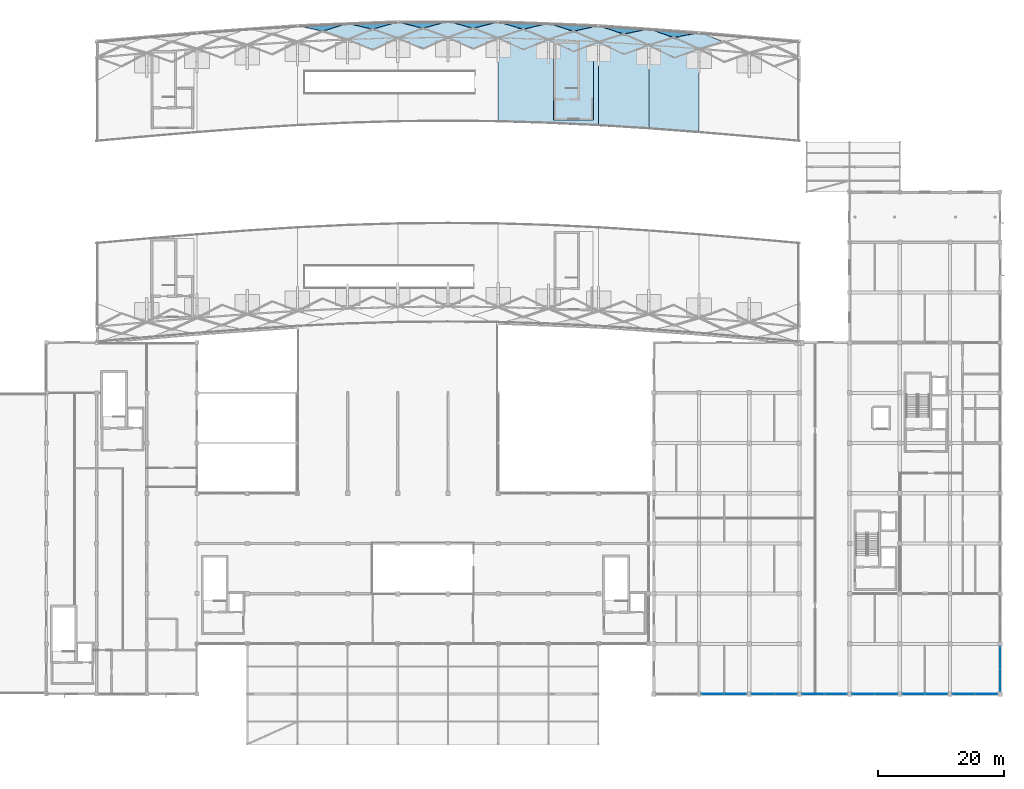
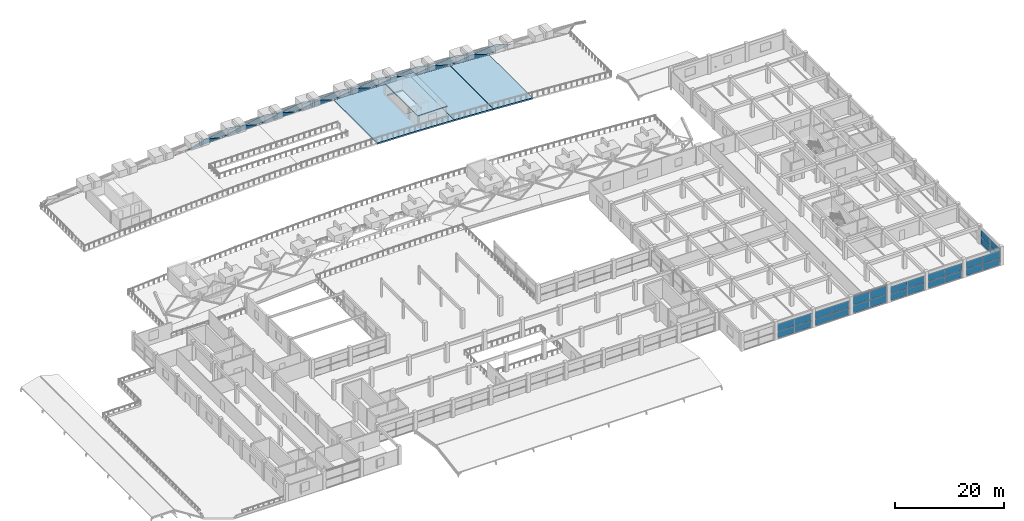
# One storey, part 37 of 67: 51 plates, 4 slabs, 7 elements without a shape of their own.
"""IFC4 building model written with IfcOpenShell, lengths in metres."""

import ifcopenshell
import ifcopenshell.guid

model = None  # the IFC model being written
_history = None  # IfcOwnerHistory: only IFC2X3 demands one
_inside = {}  # id of a spatial element -> (the spatial element, [elements in it])
_under = {}  # id of a project, library or spatial element -> (it, [spatial elements below it])
_declared = {}  # id of a project -> (the project, [libraries it declares])
_typed = {}  # id of a type object -> (the type object, [elements of that type])
_made_of = {}  # id of a material, layer set ... -> (it, [elements and type objects made of it])


def new_model(schema):
    """Start an empty IFC model of exactly this schema.

    Asked for "IFC4X3", IfcOpenShell would pick the latest addendum, in which some entities
    have other attributes; the version numbers below select the first issue.
    IFC2X3 requires an IfcOwnerHistory on every rooted entity: one is made here for all.
    """
    global model, _history
    if schema == "IFC4X3":
        model = ifcopenshell.file(schema_version=(4, 3, 0, 0))
    else:
        model = ifcopenshell.file(schema=schema)
    _inside.clear()
    _under.clear()
    _declared.clear()
    _typed.clear()
    _made_of.clear()
    _history = None
    if model.schema == "IFC2X3":
        org = make("IfcOrganization", Name="unknown")
        user = make(
            "IfcPersonAndOrganization",
            ThePerson=make("IfcPerson", FamilyName="unknown"),
            TheOrganization=org,
        )
        app = make(
            "IfcApplication",
            ApplicationDeveloper=org,
            Version="unknown",
            ApplicationFullName="unknown",
            ApplicationIdentifier="unknown",
        )
        _history = make(
            "IfcOwnerHistory",
            OwningUser=user,
            OwningApplication=app,
            ChangeAction="ADDED",
            CreationDate=0,
        )
    return model


def make(cls, **values):
    """One entity of the class cls with the attributes given. An attribute that is None is left unset."""
    return model.create_entity(
        cls, **{name: value for name, value in values.items() if value is not None}
    )


def rooted(cls, **values):
    """An entity with a GlobalId (a new one), such as an element, a storey or a relation."""
    return make(cls, GlobalId=ifcopenshell.guid.new(), OwnerHistory=_history, **values)


def si_unit(unit_type, name, prefix=None):
    """IfcSIUnit, for example si_unit("LENGTHUNIT", "METRE", prefix="MILLI")."""
    return make("IfcSIUnit", UnitType=unit_type, Prefix=prefix, Name=name)


def assignment(units):
    """IfcUnitAssignment: the units of a project."""
    return None if units is None else make("IfcUnitAssignment", Units=units)


def point(xyz):
    """IfcCartesianPoint."""
    return None if xyz is None else make("IfcCartesianPoint", Coordinates=xyz)


def direction(xyz):
    """IfcDirection."""
    return None if xyz is None else make("IfcDirection", DirectionRatios=xyz)


def frame(location, z_axis=None, x_axis=None):
    """IfcAxis2Placement3D, a coordinate frame: its origin and axes. An axis left out is left unset."""
    return make(
        "IfcAxis2Placement3D",
        Location=point(location),
        Axis=direction(z_axis),
        RefDirection=direction(x_axis),
    )


def frame_2d(location, x_axis=None):
    """IfcAxis2Placement2D, a coordinate frame in the plane: its origin and x axis."""
    return make(
        "IfcAxis2Placement2D", Location=point(location), RefDirection=direction(x_axis)
    )


def origin():
    """The frame at (0, 0, 0) with its axes left unset."""
    return frame((0.0, 0.0, 0.0))


def origin_2d():
    """The frame at (0, 0) in the plane with its x axis left unset."""
    return frame_2d((0.0, 0.0))


def place(relative_to, where):
    """IfcLocalPlacement: puts the frame where relative to a parent placement (None: the world)."""
    return make(
        "IfcLocalPlacement", PlacementRelTo=relative_to, RelativePlacement=where
    )


def context(
    kind, dimensions, precision=None, world=None, true_north=None, identifier=None
):
    """IfcGeometricRepresentationContext, for example the 3D "Model" context."""
    return make(
        "IfcGeometricRepresentationContext",
        ContextIdentifier=identifier,
        ContextType=kind,
        CoordinateSpaceDimension=dimensions,
        Precision=precision,
        WorldCoordinateSystem=world,
        TrueNorth=true_north,
    )


def subcontext(parent, identifier, kind, view, scale=None):
    """IfcGeometricRepresentationSubContext, for example "Body" below "Model"."""
    return make(
        "IfcGeometricRepresentationSubContext",
        ContextIdentifier=identifier,
        ContextType=kind,
        ParentContext=parent,
        TargetScale=scale,
        TargetView=view,
    )


def project(units=None, contexts=None):
    """IfcProject with its units and contexts."""
    return rooted(
        "IfcProject",
        Name="project",
        RepresentationContexts=contexts,
        UnitsInContext=assignment(units),
    )


def spatial(cls, under=None, at=None, **own):
    """A site, building, storey or space (cls), placed at a placement, below another one or the project."""
    s = rooted(cls, ObjectPlacement=at, **own)
    if under is not None:
        _under.setdefault(under.id(), (under, []))[1].append(s)
    return s


def polyline(points):
    """IfcPolyline through the points."""
    return make("IfcPolyline", Points=[point(p) for p in points])


def profile(cls, at=None, kind="AREA", **sizes):
    """A parametric profile (cls). Its sizes go by their IFC names, for example OverallWidth=200.0."""
    return make(cls, ProfileType=kind, Position=at, **sizes)


def rectangle(**sizes):
    """IfcRectangleProfileDef."""
    return profile("IfcRectangleProfileDef", **sizes)


def outline(outer, holes=None, kind="AREA"):
    """IfcArbitraryClosedProfileDef: a profile drawn as a closed curve; with holes, ...WithVoids."""
    if holes is None:
        return make("IfcArbitraryClosedProfileDef", ProfileType=kind, OuterCurve=outer)
    return make(
        "IfcArbitraryProfileDefWithVoids",
        ProfileType=kind,
        OuterCurve=outer,
        InnerCurves=holes,
    )


def extrude(swept, where, along, depth):
    """IfcExtrudedAreaSolid: the profile swept, set in the frame where, extruded along a direction by depth."""
    return make(
        "IfcExtrudedAreaSolid",
        SweptArea=swept,
        Position=where,
        ExtrudedDirection=direction(along),
        Depth=depth,
    )


def shape(context_of_items, identifier, shape_type, items):
    """IfcShapeRepresentation: the items that make up one representation, for example the "Body"."""
    return make(
        "IfcShapeRepresentation",
        ContextOfItems=context_of_items,
        RepresentationIdentifier=identifier,
        RepresentationType=shape_type,
        Items=items,
    )


def material(Name=None, Category=None):
    """IfcMaterial."""
    return make("IfcMaterial", Name=Name, Category=Category)


def layer(
    of_material, thickness, ventilated=None, Name=None, Category=None, Priority=None
):
    """IfcMaterialLayer: one layer of a wall or slab, of a material (None: an air gap)."""
    return make(
        "IfcMaterialLayer",
        Material=of_material,
        LayerThickness=thickness,
        IsVentilated=ventilated,
        Name=Name,
        Category=Category,
        Priority=Priority,
    )


def layer_set(layers, Name=None):
    """IfcMaterialLayerSet."""
    return make("IfcMaterialLayerSet", MaterialLayers=layers, LayerSetName=Name)


def made_of(thing, what):
    """Note that an element or type object is made of a material, layer set ...; save() writes the relation."""
    if what is not None:
        _made_of.setdefault(what.id(), (what, []))[1].append(thing)
    return thing


def type_object(cls, material=None, **own):
    """A type object (cls), such as IfcWallType, which elements share."""
    return made_of(rooted(cls, **own), material)


def element(
    cls,
    number,
    at=None,
    inside=None,
    cuts=None,
    type_object=None,
    material=None,
    context=None,
    identifier="Body",
    shape_type=None,
    held_by="IfcProductDefinitionShape",
    body=None,
    shapes=None,
    **own,
):
    """One element of the class cls, such as IfcWall. Its Tag is "e" and its number.

    at: its placement. inside: the storey or other place that contains it. cuts: it is an
    opening in that element (IfcRelVoidsElement). A single representation is given by context,
    identifier, shape_type and body (its items); several are given by shapes. held_by: the class
    of the entity that holds the representations. save() writes the other relations.
    """
    e = rooted(cls, Tag="e%d" % number, ObjectPlacement=at, **own)
    if body is not None:
        shapes = [shape(context, identifier, shape_type, body)]
    if shapes is not None:
        e.Representation = make(held_by, Representations=shapes)
    if inside is not None:
        _inside.setdefault(inside.id(), (inside, []))[1].append(e)
    if cuts is not None:
        rooted(
            "IfcRelVoidsElement", RelatingBuildingElement=cuts, RelatedOpeningElement=e
        )
    if type_object is not None:
        _typed.setdefault(type_object.id(), (type_object, []))[1].append(e)
    return made_of(e, material)


def aggregate(whole, parts):
    """IfcRelAggregates: a whole, such as a stair, and the parts it consists of."""
    return rooted("IfcRelAggregates", RelatingObject=whole, RelatedObjects=parts)


def save(model, path):
    """Write the relations noted so far, then the file.

    IfcRelAggregates (storeys below a building ...), IfcRelContainedInSpatialStructure (elements
    in a storey), IfcRelDefinesByType, IfcRelAssociatesMaterial and IfcRelDeclares: one each for
    every whole, place, type object, material and project.
    """
    for whole, parts in _under.values():
        aggregate(whole, parts)
    for where, things in _inside.values():
        rooted(
            "IfcRelContainedInSpatialStructure",
            RelatedElements=things,
            RelatingStructure=where,
        )
    for kind, things in _typed.values():
        rooted("IfcRelDefinesByType", RelatedObjects=things, RelatingType=kind)
    for what, things in _made_of.values():
        rooted("IfcRelAssociatesMaterial", RelatedObjects=things, RelatingMaterial=what)
    for by, libraries in _declared.values():
        rooted("IfcRelDeclares", RelatingContext=by, RelatedDefinitions=libraries)
    model.write(path)


model = new_model("IFC4")

# Units and contexts
model_context = context("Model", 3, precision=1e-05, world=origin(), true_north=direction((0.0, 1.0)))
body_context = subcontext(model_context, "Body", "Model", "MODEL_VIEW")
ifc_project = project(units=[si_unit("LENGTHUNIT", "METRE"), si_unit("AREAUNIT", "SQUARE_METRE"), si_unit("VOLUMEUNIT", "CUBIC_METRE"), si_unit("PLANEANGLEUNIT", "RADIAN"), si_unit("MASSUNIT", "GRAM", prefix="KILO")], contexts=[model_context])

# Site, building, storey
site_placement = place(None, origin())
site = spatial("IfcSite", under=ifc_project, at=site_placement, CompositionType="ELEMENT")
building_placement = place(site_placement, origin())
building = spatial("IfcBuilding", under=site, at=building_placement, Name="Kenh Van Central Station", CompositionType="ELEMENT")
storey_placement = place(building_placement, frame((0.0, 0.0, 10.800048828125)))
storey = spatial("IfcBuildingStorey", under=building, at=storey_placement, Name="L02", CompositionType="ELEMENT", Elevation=10.800048828125)

# Curtain wall, plates
ifc_material_1 = material(Name="Champagne anodised aluminium", Category="aluminium")
curtain_wall_type = type_object("IfcCurtainWallType", Name="CW-OPER-A", PredefinedType="NOTDEFINED", material=ifc_material_1)
curtain_wall_1_placement = place(storey_placement, origin())
curtain_wall_1 = element("IfcCurtainWall", 1, at=curtain_wall_1_placement, inside=storey, type_object=curtain_wall_type, Name="L02 curtain wall 183", PredefinedType="NOTDEFINED")
ifc_material_2 = material(Name="Double-glazed low-E laminated solar glass", Category="glass")
ifc_layer_1 = layer(ifc_material_2, 0.031982421875, Name="Double-glazed low-E laminated solar glass")
ifc_layer_set_1 = layer_set([ifc_layer_1], Name="Double-glazed low-E laminated solar glass")
plate_type_1 = type_object("IfcPlateType", Name="CWP-IGU-32", PredefinedType="CURTAIN_PANEL", material=ifc_layer_set_1)
plate_1_placement = place(storey_placement, frame((130.197021484375, 8.0, 0.07177734375), z_axis=(0.0, 0.0, 1.0), x_axis=(1.0, 0.0, 0.0)))
plate_1 = element("IfcPlate", 2, at=plate_1_placement, type_object=plate_type_1, Name="CW-07 panel 1.1", PredefinedType="CURTAIN_PANEL", context=body_context, shape_type="SweptSolid", body=[
    extrude(rectangle(XDim=3.51806640625, YDim=0.031982421875, at=origin_2d()), origin(), (0.0, 0.0, 1.0), 1.490478515625),
])
plate_2_placement = place(storey_placement, frame((130.197021484375, 8.0, 1.63427734375), z_axis=(0.0, 0.0, 1.0), x_axis=(1.0, 0.0, 0.0)))
plate_2 = element("IfcPlate", 3, at=plate_2_placement, type_object=plate_type_1, Name="CW-07 panel 1.2", PredefinedType="CURTAIN_PANEL", context=body_context, shape_type="SweptSolid", body=[
    extrude(rectangle(XDim=3.51806640625, YDim=0.031982421875, at=origin_2d()), origin(), (0.0, 0.0, 1.0), 1.62353515625),
])
plate_3_placement = place(storey_placement, frame((133.802978515625, 8.0, 0.07177734375), z_axis=(0.0, 0.0, 1.0), x_axis=(1.0, 0.0, 0.0)))
plate_3 = element("IfcPlate", 4, at=plate_3_placement, type_object=plate_type_1, Name="CW-07 panel 2.1", PredefinedType="CURTAIN_PANEL", context=body_context, shape_type="SweptSolid", body=[
    extrude(rectangle(XDim=3.51806640625, YDim=0.031982421875, at=origin_2d()), origin(), (0.0, 0.0, 1.0), 1.490478515625),
])
plate_4_placement = place(storey_placement, frame((133.802978515625, 8.0, 1.63427734375), z_axis=(0.0, 0.0, 1.0), x_axis=(1.0, 0.0, 0.0)))
plate_4 = element("IfcPlate", 5, at=plate_4_placement, type_object=plate_type_1, Name="CW-07 panel 2.2", PredefinedType="CURTAIN_PANEL", context=body_context, shape_type="SweptSolid", body=[
    extrude(rectangle(XDim=3.51806640625, YDim=0.031982421875, at=origin_2d()), origin(), (0.0, 0.0, 1.0), 1.62353515625),
])
aggregate(curtain_wall_1, [plate_1, plate_2, plate_3, plate_4])

curtain_wall_2_placement = place(storey_placement, origin())
curtain_wall_2 = element("IfcCurtainWall", 6, at=curtain_wall_2_placement, inside=storey, type_object=curtain_wall_type, Name="L02 curtain wall 184", PredefinedType="NOTDEFINED")
plate_5_placement = place(storey_placement, frame((138.197021484375, 8.0, 0.07177734375), z_axis=(0.0, 0.0, 1.0), x_axis=(1.0, 0.0, 0.0)))
plate_5 = element("IfcPlate", 7, at=plate_5_placement, type_object=plate_type_1, Name="CW-07 panel 1.1", PredefinedType="CURTAIN_PANEL", context=body_context, shape_type="SweptSolid", body=[
    extrude(rectangle(XDim=3.51806640625, YDim=0.031982421875, at=origin_2d()), origin(), (0.0, 0.0, 1.0), 1.490478515625),
])
plate_6_placement = place(storey_placement, frame((138.197021484375, 8.0, 1.63427734375), z_axis=(0.0, 0.0, 1.0), x_axis=(1.0, 0.0, 0.0)))
plate_6 = element("IfcPlate", 8, at=plate_6_placement, type_object=plate_type_1, Name="CW-07 panel 1.2", PredefinedType="CURTAIN_PANEL", context=body_context, shape_type="SweptSolid", body=[
    extrude(rectangle(XDim=3.51806640625, YDim=0.031982421875, at=origin_2d()), origin(), (0.0, 0.0, 1.0), 1.62353515625),
])
plate_7_placement = place(storey_placement, frame((141.802978515625, 8.0, 0.07177734375), z_axis=(0.0, 0.0, 1.0), x_axis=(1.0, 0.0, 0.0)))
plate_7 = element("IfcPlate", 9, at=plate_7_placement, type_object=plate_type_1, Name="CW-07 panel 2.1", PredefinedType="CURTAIN_PANEL", context=body_context, shape_type="SweptSolid", body=[
    extrude(rectangle(XDim=3.51806640625, YDim=0.031982421875, at=origin_2d()), origin(), (0.0, 0.0, 1.0), 1.490478515625),
])
plate_8_placement = place(storey_placement, frame((141.802978515625, 8.0, 1.63427734375), z_axis=(0.0, 0.0, 1.0), x_axis=(1.0, 0.0, 0.0)))
plate_8 = element("IfcPlate", 10, at=plate_8_placement, type_object=plate_type_1, Name="CW-07 panel 2.2", PredefinedType="CURTAIN_PANEL", context=body_context, shape_type="SweptSolid", body=[
    extrude(rectangle(XDim=3.51806640625, YDim=0.031982421875, at=origin_2d()), origin(), (0.0, 0.0, 1.0), 1.62353515625),
])
aggregate(curtain_wall_2, [plate_5, plate_6, plate_7, plate_8])

curtain_wall_3_placement = place(storey_placement, origin())
curtain_wall_3 = element("IfcCurtainWall", 11, at=curtain_wall_3_placement, inside=storey, type_object=curtain_wall_type, Name="L02 curtain wall 185", PredefinedType="NOTDEFINED")
plate_9_placement = place(storey_placement, frame((146.197021484375, 8.0, 0.072021484375), z_axis=(0.0, 0.0, 1.0), x_axis=(1.0, 0.0, 0.0)))
plate_9 = element("IfcPlate", 12, at=plate_9_placement, type_object=plate_type_1, Name="CW-07 panel 1.1", PredefinedType="CURTAIN_PANEL", context=body_context, shape_type="SweptSolid", body=[
    extrude(rectangle(XDim=3.51806640625, YDim=0.031982421875, at=origin_2d()), origin(), (0.0, 0.0, 1.0), 1.75439453125),
])
plate_10_placement = place(storey_placement, frame((146.197021484375, 8.0, 1.8984375), z_axis=(0.0, 0.0, 1.0), x_axis=(1.0, 0.0, 0.0)))
plate_10 = element("IfcPlate", 13, at=plate_10_placement, type_object=plate_type_1, Name="CW-07 panel 1.2", PredefinedType="CURTAIN_PANEL", context=body_context, shape_type="SweptSolid", body=[
    extrude(rectangle(XDim=3.51806640625, YDim=0.031982421875, at=origin_2d()), origin(), (0.0, 0.0, 1.0), 1.90966796875),
])
plate_11_placement = place(storey_placement, frame((149.802978515625, 8.0, 0.072021484375), z_axis=(0.0, 0.0, 1.0), x_axis=(1.0, 0.0, 0.0)))
plate_11 = element("IfcPlate", 14, at=plate_11_placement, type_object=plate_type_1, Name="CW-07 panel 2.1", PredefinedType="CURTAIN_PANEL", context=body_context, shape_type="SweptSolid", body=[
    extrude(rectangle(XDim=3.51806640625, YDim=0.031982421875, at=origin_2d()), origin(), (0.0, 0.0, 1.0), 1.75439453125),
])
plate_12_placement = place(storey_placement, frame((149.802978515625, 8.0, 1.8984375), z_axis=(0.0, 0.0, 1.0), x_axis=(1.0, 0.0, 0.0)))
plate_12 = element("IfcPlate", 15, at=plate_12_placement, type_object=plate_type_1, Name="CW-07 panel 2.2", PredefinedType="CURTAIN_PANEL", context=body_context, shape_type="SweptSolid", body=[
    extrude(rectangle(XDim=3.51806640625, YDim=0.031982421875, at=origin_2d()), origin(), (0.0, 0.0, 1.0), 1.90966796875),
])
aggregate(curtain_wall_3, [plate_9, plate_10, plate_11, plate_12])

curtain_wall_4_placement = place(storey_placement, origin())
curtain_wall_4 = element("IfcCurtainWall", 16, at=curtain_wall_4_placement, inside=storey, type_object=curtain_wall_type, Name="L02 curtain wall 186", PredefinedType="NOTDEFINED")
plate_13_placement = place(storey_placement, frame((154.197021484375, 8.0, 0.07177734375), z_axis=(0.0, 0.0, 1.0), x_axis=(1.0, 0.0, 0.0)))
plate_13 = element("IfcPlate", 17, at=plate_13_placement, type_object=plate_type_1, Name="CW-07 panel 1.1", PredefinedType="CURTAIN_PANEL", context=body_context, shape_type="SweptSolid", body=[
    extrude(rectangle(XDim=3.51806640625, YDim=0.031982421875, at=origin_2d()), origin(), (0.0, 0.0, 1.0), 1.490478515625),
])
plate_14_placement = place(storey_placement, frame((154.197021484375, 8.0, 1.63427734375), z_axis=(0.0, 0.0, 1.0), x_axis=(1.0, 0.0, 0.0)))
plate_14 = element("IfcPlate", 18, at=plate_14_placement, type_object=plate_type_1, Name="CW-07 panel 1.2", PredefinedType="CURTAIN_PANEL", context=body_context, shape_type="SweptSolid", body=[
    extrude(rectangle(XDim=3.51806640625, YDim=0.031982421875, at=origin_2d()), origin(), (0.0, 0.0, 1.0), 1.62353515625),
])
plate_15_placement = place(storey_placement, frame((157.802978515625, 8.0, 0.07177734375), z_axis=(0.0, 0.0, 1.0), x_axis=(1.0, 0.0, 0.0)))
plate_15 = element("IfcPlate", 19, at=plate_15_placement, type_object=plate_type_1, Name="CW-07 panel 2.1", PredefinedType="CURTAIN_PANEL", context=body_context, shape_type="SweptSolid", body=[
    extrude(rectangle(XDim=3.51806640625, YDim=0.031982421875, at=origin_2d()), origin(), (0.0, 0.0, 1.0), 1.490478515625),
])
plate_16_placement = place(storey_placement, frame((157.802978515625, 8.0, 1.63427734375), z_axis=(0.0, 0.0, 1.0), x_axis=(1.0, 0.0, 0.0)))
plate_16 = element("IfcPlate", 20, at=plate_16_placement, type_object=plate_type_1, Name="CW-07 panel 2.2", PredefinedType="CURTAIN_PANEL", context=body_context, shape_type="SweptSolid", body=[
    extrude(rectangle(XDim=3.51806640625, YDim=0.031982421875, at=origin_2d()), origin(), (0.0, 0.0, 1.0), 1.62353515625),
])
aggregate(curtain_wall_4, [plate_13, plate_14, plate_15, plate_16])

curtain_wall_5_placement = place(storey_placement, origin())
curtain_wall_5 = element("IfcCurtainWall", 21, at=curtain_wall_5_placement, inside=storey, type_object=curtain_wall_type, Name="L02 curtain wall 187", PredefinedType="NOTDEFINED")
plate_17_placement = place(storey_placement, frame((162.197021484375, 8.0, 0.07177734375), z_axis=(0.0, 0.0, 1.0), x_axis=(1.0, 0.0, 0.0)))
plate_17 = element("IfcPlate", 22, at=plate_17_placement, type_object=plate_type_1, Name="CW-07 panel 1.1", PredefinedType="CURTAIN_PANEL", context=body_context, shape_type="SweptSolid", body=[
    extrude(rectangle(XDim=3.51806640625, YDim=0.031982421875, at=origin_2d()), origin(), (0.0, 0.0, 1.0), 1.490478515625),
])
plate_18_placement = place(storey_placement, frame((162.197021484375, 8.0, 1.63427734375), z_axis=(0.0, 0.0, 1.0), x_axis=(1.0, 0.0, 0.0)))
plate_18 = element("IfcPlate", 23, at=plate_18_placement, type_object=plate_type_1, Name="CW-07 panel 1.2", PredefinedType="CURTAIN_PANEL", context=body_context, shape_type="SweptSolid", body=[
    extrude(rectangle(XDim=3.51806640625, YDim=0.031982421875, at=origin_2d()), origin(), (0.0, 0.0, 1.0), 1.62353515625),
])
plate_19_placement = place(storey_placement, frame((165.802978515625, 8.0, 0.07177734375), z_axis=(0.0, 0.0, 1.0), x_axis=(1.0, 0.0, 0.0)))
plate_19 = element("IfcPlate", 24, at=plate_19_placement, type_object=plate_type_1, Name="CW-07 panel 2.1", PredefinedType="CURTAIN_PANEL", context=body_context, shape_type="SweptSolid", body=[
    extrude(rectangle(XDim=3.51806640625, YDim=0.031982421875, at=origin_2d()), origin(), (0.0, 0.0, 1.0), 1.490478515625),
])
plate_20_placement = place(storey_placement, frame((165.802978515625, 8.0, 1.63427734375), z_axis=(0.0, 0.0, 1.0), x_axis=(1.0, 0.0, 0.0)))
plate_20 = element("IfcPlate", 25, at=plate_20_placement, type_object=plate_type_1, Name="CW-07 panel 2.2", PredefinedType="CURTAIN_PANEL", context=body_context, shape_type="SweptSolid", body=[
    extrude(rectangle(XDim=3.51806640625, YDim=0.031982421875, at=origin_2d()), origin(), (0.0, 0.0, 1.0), 1.62353515625),
])
aggregate(curtain_wall_5, [plate_17, plate_18, plate_19, plate_20])

curtain_wall_6_placement = place(storey_placement, origin())
curtain_wall_6 = element("IfcCurtainWall", 26, at=curtain_wall_6_placement, inside=storey, type_object=curtain_wall_type, Name="L02 curtain wall 188", PredefinedType="NOTDEFINED")
plate_21_placement = place(storey_placement, frame((170.197021484375, 8.0, 0.07177734375), z_axis=(0.0, 0.0, 1.0), x_axis=(1.0, 0.0, 0.0)))
plate_21 = element("IfcPlate", 27, at=plate_21_placement, type_object=plate_type_1, Name="CW-07 panel 1.1", PredefinedType="CURTAIN_PANEL", context=body_context, shape_type="SweptSolid", body=[
    extrude(rectangle(XDim=3.51806640625, YDim=0.031982421875, at=origin_2d()), origin(), (0.0, 0.0, 1.0), 1.490478515625),
])
plate_22_placement = place(storey_placement, frame((170.197021484375, 8.0, 1.63427734375), z_axis=(0.0, 0.0, 1.0), x_axis=(1.0, 0.0, 0.0)))
plate_22 = element("IfcPlate", 28, at=plate_22_placement, type_object=plate_type_1, Name="CW-07 panel 1.2", PredefinedType="CURTAIN_PANEL", context=body_context, shape_type="SweptSolid", body=[
    extrude(rectangle(XDim=3.51806640625, YDim=0.031982421875, at=origin_2d()), origin(), (0.0, 0.0, 1.0), 1.62353515625),
])
plate_23_placement = place(storey_placement, frame((173.802978515625, 8.0, 0.07177734375), z_axis=(0.0, 0.0, 1.0), x_axis=(1.0, 0.0, 0.0)))
plate_23 = element("IfcPlate", 29, at=plate_23_placement, type_object=plate_type_1, Name="CW-07 panel 2.1", PredefinedType="CURTAIN_PANEL", context=body_context, shape_type="SweptSolid", body=[
    extrude(rectangle(XDim=3.51806640625, YDim=0.031982421875, at=origin_2d()), origin(), (0.0, 0.0, 1.0), 1.490478515625),
])
plate_24_placement = place(storey_placement, frame((173.802978515625, 8.0, 1.63427734375), z_axis=(0.0, 0.0, 1.0), x_axis=(1.0, 0.0, 0.0)))
plate_24 = element("IfcPlate", 30, at=plate_24_placement, type_object=plate_type_1, Name="CW-07 panel 2.2", PredefinedType="CURTAIN_PANEL", context=body_context, shape_type="SweptSolid", body=[
    extrude(rectangle(XDim=3.51806640625, YDim=0.031982421875, at=origin_2d()), origin(), (0.0, 0.0, 1.0), 1.62353515625),
])
aggregate(curtain_wall_6, [plate_21, plate_22, plate_23, plate_24])

curtain_wall_7_placement = place(storey_placement, origin())
curtain_wall_7 = element("IfcCurtainWall", 31, at=curtain_wall_7_placement, inside=storey, type_object=curtain_wall_type, Name="L02 curtain wall 189", PredefinedType="NOTDEFINED")
ifc_layer_2 = layer(ifc_material_2, 0.0380859375, Name="Double-glazed low-E laminated solar glass")
ifc_layer_set_2 = layer_set([ifc_layer_2], Name="Double-glazed low-E laminated solar glass")
plate_type_2 = type_object("IfcPlateType", Name="CWP-IGU-38", PredefinedType="CURTAIN_PANEL", material=ifc_layer_set_2)
plate_25_placement = place(storey_placement, frame((176.0, 10.197021484375, 0.07177734375), z_axis=(0.0, 0.0, 1.0), x_axis=(0.0, 1.0, 0.0)))
plate_25 = element("IfcPlate", 32, at=plate_25_placement, type_object=plate_type_2, Name="CW-07 panel 1.1", PredefinedType="CURTAIN_PANEL", context=body_context, shape_type="SweptSolid", body=[
    extrude(rectangle(XDim=3.51806640625, YDim=0.0380859375, at=origin_2d()), origin(), (0.0, 0.0, 1.0), 1.490478515625),
])
plate_26_placement = place(storey_placement, frame((176.0, 10.197021484375, 1.63427734375), z_axis=(0.0, 0.0, 1.0), x_axis=(0.0, 1.0, 0.0)))
plate_26 = element("IfcPlate", 33, at=plate_26_placement, type_object=plate_type_2, Name="CW-07 panel 1.2", PredefinedType="CURTAIN_PANEL", context=body_context, shape_type="SweptSolid", body=[
    extrude(rectangle(XDim=3.51806640625, YDim=0.0380859375, at=origin_2d()), origin(), (0.0, 0.0, 1.0), 1.62353515625),
])
plate_27_placement = place(storey_placement, frame((176.0, 13.802978515625, 0.07177734375), z_axis=(0.0, 0.0, 1.0), x_axis=(0.0, 1.0, 0.0)))
plate_27 = element("IfcPlate", 34, at=plate_27_placement, type_object=plate_type_2, Name="CW-07 panel 2.1", PredefinedType="CURTAIN_PANEL", context=body_context, shape_type="SweptSolid", body=[
    extrude(rectangle(XDim=3.51806640625, YDim=0.0380859375, at=origin_2d()), origin(), (0.0, 0.0, 1.0), 1.490478515625),
])
plate_28_placement = place(storey_placement, frame((176.0, 13.802978515625, 1.63427734375), z_axis=(0.0, 0.0, 1.0), x_axis=(0.0, 1.0, 0.0)))
plate_28 = element("IfcPlate", 35, at=plate_28_placement, type_object=plate_type_2, Name="CW-07 panel 2.2", PredefinedType="CURTAIN_PANEL", context=body_context, shape_type="SweptSolid", body=[
    extrude(rectangle(XDim=3.51806640625, YDim=0.0380859375, at=origin_2d()), origin(), (0.0, 0.0, 1.0), 1.62353515625),
])
aggregate(curtain_wall_7, [plate_25, plate_26, plate_27, plate_28])

# Plates
ifc_layer_3 = layer(ifc_material_2, 0.02490234375, Name="Double-glazed low-E laminated solar glass")
ifc_layer_set_3 = layer_set([ifc_layer_3], Name="Double-glazed low-E laminated solar glass")
plate_type_3 = type_object("IfcPlateType", Name="PLT-VAULT-GLZ2", PredefinedType="SHEET", material=ifc_layer_set_3)
plate_29_placement = place(storey_placement, frame((84.011962890625, 114.021240234375, 1.958740234375), z_axis=(0.0, 0.827638788522, 0.561261111903), x_axis=(0.870831280643, -0.275905870147, 0.406852346032)))
element("IfcPlate", 36, at=plate_29_placement, inside=storey, type_object=plate_type_3, Name="Vault planar diamond skylight pane 129", PredefinedType="SHEET", context=body_context, shape_type="SweptSolid", body=[
    extrude(outline(polyline([(0.0, 0.0), (4.579574939510182, -2.220446049250313e-16), (6.945814926419001, 3.9208946620565355), (2.3565857083773545, 3.9379970934420507), (0.0, 0.0)])), origin(), (0.0, 0.0, -1.0), 0.02490234375),
])
plate_30_placement = place(storey_placement, frame((88.011474609375, 112.583984375, 3.69677734375), z_axis=(0.007032358229, 0.69824477575, 0.715824544896), x_axis=(0.867654991199, -0.360126849096, 0.342758615949)))
element("IfcPlate", 37, at=plate_30_placement, inside=storey, type_object=plate_type_3, Name="Vault planar diamond skylight pane 139", PredefinedType="SHEET", context=body_context, shape_type="SweptSolid", body=[
    extrude(outline(polyline([(0.0, 0.0), (4.597746511893328, -1.1102230246251565e-16), (6.949023377776023, 3.915527052128987), (2.3402177277959058, 3.940231207497964), (0.0, 0.0)])), origin(), (0.0, 0.0, -1.0), 0.02490234375),
])
plate_31_placement = place(storey_placement, frame((108.006103515625, 113.54931640625, 1.958251953125), z_axis=(0.046266343832, 0.826710459141, 0.560722072131), x_axis=(0.858821235453, -0.31960329587, 0.400349620712)))
element("IfcPlate", 38, at=plate_31_placement, inside=storey, type_object=plate_type_3, Name="Vault planar diamond skylight pane 187", PredefinedType="SHEET", context=body_context, shape_type="SweptSolid", body=[
    extrude(outline(polyline([(0.0, 0.0), (4.657265539238592, -2.220446049250313e-16), (6.992383858534557, 3.8630666870587245), (2.347725792398902, 3.8877937609951556), (0.0, 0.0)])), origin(), (0.0, 0.0, -1.0), 0.02490234375),
])
plate_32_placement = place(storey_placement, frame((112.0078125, 111.884033203125, 3.695556640625), z_axis=(0.044239521012, 0.697524039905, 0.715194434078), x_axis=(0.852687154796, -0.399385131631, 0.336773117512)))
element("IfcPlate", 39, at=plate_32_placement, inside=storey, type_object=plate_type_3, Name="Vault planar diamond skylight pane 197", PredefinedType="SHEET", context=body_context, shape_type="SweptSolid", body=[
    extrude(outline(polyline([(0.0, 0.0), (4.686757823676364, 1.1102230246251565e-16), (7.002769292827786, 3.8515428538773007), (2.320574989224224, 3.8759613096830905), (0.0, 0.0)])), origin(), (0.0, 0.0, -1.0), 0.02490234375),
])
plate_33_placement = place(storey_placement, frame((96.01171875, 115.118408203125, 0.001953125), z_axis=(0.026346855574, 0.890180419149, 0.454845759094), x_axis=(0.864377742545, -0.248847240646, 0.436950991549)))
element("IfcPlate", 40, at=plate_33_placement, inside=storey, type_object=plate_type_3, Name="Vault border triangle skylight pane 291", PredefinedType="SHEET", context=body_context, shape_type="SweptSolid", body=[
    extrude(outline(polyline([(0.0, 0.0), (4.614048990035439, -2.220446049250313e-16), (6.953511935093449, 3.9153488647370365), (0.0, 0.0)])), origin(), (0.0, 0.0, -1.0), 0.02490234375),
])
plate_34_placement = place(storey_placement, frame((120.01171875, 113.993408203125, 0.001953125), z_axis=(0.067300403567, 0.886986198207, 0.456865559951), x_axis=(0.854793106999, -0.287425228743, 0.432105869099)))
element("IfcPlate", 41, at=plate_34_placement, inside=storey, type_object=plate_type_3, Name="Vault border triangle skylight pane 297", PredefinedType="SHEET", context=body_context, shape_type="SweptSolid", body=[
    extrude(outline(polyline([(0.0, 0.0), (4.665785460066682, 0.0), (6.992267464335178, 3.8858772306133234), (0.0, 0.0)])), origin(), (0.0, 0.0, -1.0), 0.02490234375),
])
ifc_layer_4 = layer(ifc_material_2, 0.027099609375, Name="Double-glazed low-E laminated solar glass")
ifc_layer_set_4 = layer_set([ifc_layer_4], Name="Double-glazed low-E laminated solar glass")
plate_type_4 = type_object("IfcPlateType", Name="PLT-VAULT-GLZ3", PredefinedType="SHEET", material=ifc_layer_set_4)
plate_35_placement = place(storey_placement, frame((64.01171875, 114.50146484375, 0.001953125), z_axis=(-0.04238193259, 0.88934007808, 0.455277934135), x_axis=(0.877019220415, -0.18516401146, 0.443341376236)))
element("IfcPlate", 42, at=plate_35_placement, inside=storey, type_object=plate_type_4, Name="Vault border triangle skylight pane 286", PredefinedType="SHEET", context=body_context, shape_type="SweptSolid", body=[
    extrude(outline(polyline([(0.0, 0.0), (4.54754144169451, 2.220446049250313e-16), (6.925212793837117, 3.976364366726602), (0.0, 0.0)])), origin(), (0.0, 0.0, -1.0), 0.027099609375),
])
ifc_layer_5 = layer(ifc_material_2, 0.029052734375, Name="Double-glazed low-E laminated solar glass")
ifc_layer_set_5 = layer_set([ifc_layer_5], Name="Double-glazed low-E laminated solar glass")
plate_type_5 = type_object("IfcPlateType", Name="PLT-VAULT-GLZ4", PredefinedType="SHEET", material=ifc_layer_set_5)
plate_36_placement = place(storey_placement, frame((68.01611328125, 113.550537109375, 1.958251953125), z_axis=(-0.032225373782, 0.827208935917, 0.560969608467), x_axis=(0.878049149439, -0.244702014961, 0.411279242174)))
element("IfcPlate", 43, at=plate_36_placement, inside=storey, type_object=plate_type_5, Name="Vault planar diamond skylight pane 093", PredefinedType="SHEET", context=body_context, shape_type="SweptSolid", body=[
    extrude(outline(polyline([(0.0, 0.0), (4.5327555618567965, -2.220446049250313e-16), (6.927279780087298, 3.9652363995976376), (2.3723959597904796, 3.972700419041237), (0.0, 0.0)])), origin(), (0.0, 0.0, -1.0), 0.029052734375),
])
plate_37_placement = place(storey_placement, frame((72.013916015625, 112.267333984375, 3.6962890625), z_axis=(-0.020685356914, 0.698112638353, 0.715689080664), x_axis=(0.877723060209, -0.33008209679, 0.347344265759)))
element("IfcPlate", 44, at=plate_37_placement, inside=storey, type_object=plate_type_5, Name="Vault planar diamond skylight pane 103", PredefinedType="SHEET", context=body_context, shape_type="SweptSolid", body=[
    extrude(outline(polyline([(0.0, 0.0), (4.539166434527905, 3.3306690738754696e-16), (6.9229419760038935, 3.968169609174331), (2.364764471043973, 3.9867071977719237), (0.0, 0.0)])), origin(), (0.0, 0.0, -1.0), 0.029052734375),
])
plate_38_placement = place(storey_placement, frame((92.010009765625, 114.02099609375, 1.958740234375), z_axis=(0.016515222561, 0.827508904664, 0.561209640086), x_axis=(0.866753692123, -0.291667233946, 0.404559342785)))
element("IfcPlate", 45, at=plate_38_placement, inside=storey, type_object=plate_type_5, Name="Vault planar diamond skylight pane 149", PredefinedType="SHEET", context=body_context, shape_type="SweptSolid", body=[
    extrude(outline(polyline([(0.0, 0.0), (4.605624913378398, 0.0), (6.959507667111307, 3.899289247985455), (2.3513127235242774, 3.9199172646321894), (0.0, 0.0)])), origin(), (0.0, 0.0, -1.0), 0.029052734375),
])
plate_39_placement = place(storey_placement, frame((96.010009765625, 112.50341796875, 3.696533203125), z_axis=(0.020685356914, 0.698112638353, 0.715689080664), x_axis=(0.862354573075, -0.374667625971, 0.340541862838)))
element("IfcPlate", 46, at=plate_39_placement, inside=storey, type_object=plate_type_5, Name="Vault planar diamond skylight pane 159", PredefinedType="SHEET", context=body_context, shape_type="SweptSolid", body=[
    extrude(outline(polyline([(0.0, 0.0), (4.629120421777111, -2.220446049250313e-16), (6.966573963580301, 3.89105934936188), (2.331352561829896, 3.916901969843366), (0.0, 0.0)])), origin(), (0.0, 0.0, -1.0), 0.029052734375),
])
plate_40_placement = place(storey_placement, frame((116.004638671875, 113.1015625, 1.95751953125), z_axis=(0.057972330758, 0.82620483964, 0.560379132216), x_axis=(0.855425564032, -0.330493986012, 0.398774158655)))
element("IfcPlate", 47, at=plate_40_placement, inside=storey, type_object=plate_type_5, Name="Vault planar diamond skylight pane 205", PredefinedType="SHEET", context=body_context, shape_type="SweptSolid", body=[
    extrude(outline(polyline([(0.0, 0.0), (4.67917039167465, -2.220446049250313e-16), (7.007597009412262, 3.850219487464016), (2.3478825375273376, 3.87479175071002), (0.0, 0.0)])), origin(), (0.0, 0.0, -1.0), 0.029052734375),
])
plate_41_placement = place(storey_placement, frame((120.007080078125, 111.37646484375, 3.694580078125), z_axis=(0.052925544166, 0.69720153654, 0.714918809531), x_axis=(0.848882222629, -0.408461894265, 0.335496427758)))
element("IfcPlate", 48, at=plate_41_placement, inside=storey, type_object=plate_type_5, Name="Vault planar diamond skylight pane 215", PredefinedType="SHEET", context=body_context, shape_type="SweptSolid", body=[
    extrude(outline(polyline([(0.0, 0.0), (4.709484995339095, -6.661338147750939e-16), (7.017876892757641, 3.8384190428488307), (2.3179236684596627, 3.8601533115346798), (0.0, 0.0)])), origin(), (0.0, 0.0, -1.0), 0.029052734375),
])
plate_42_placement = place(storey_placement, frame((72.01171875, 114.88232421875, 0.001953125), z_axis=(-0.026346855574, 0.890180419149, 0.454845759094), x_axis=(0.874424539723, -0.199978579849, 0.442029741004)))
element("IfcPlate", 49, at=plate_42_placement, inside=storey, type_object=plate_type_5, Name="Vault border triangle skylight pane 287", PredefinedType="SHEET", context=body_context, shape_type="SweptSolid", body=[
    extrude(outline(polyline([(0.0, 0.0), (4.561035365341635, 4.440892098500626e-16), (6.927690252715372, 3.9608575746316683), (0.0, 0.0)])), origin(), (0.0, 0.0, -1.0), 0.029052734375),
])
plate_43_placement = place(storey_placement, frame((104.01171875, 114.881591796875, 0.001953125), z_axis=(0.04238193259, 0.88934007808, 0.455277934135), x_axis=(0.860839938727, -0.263795588471, 0.435162598801)))
element("IfcPlate", 50, at=plate_43_placement, inside=storey, type_object=plate_type_5, Name="Vault border triangle skylight pane 293", PredefinedType="SHEET", context=body_context, shape_type="SweptSolid", body=[
    extrude(outline(polyline([(0.0, 0.0), (4.633011400349961, 2.220446049250313e-16), (6.966819387047681, 3.9030082558399646), (0.0, 0.0)])), origin(), (0.0, 0.0, -1.0), 0.029052734375),
])
ifc_layer_6 = layer(ifc_material_2, 0.031005859375, Name="Double-glazed low-E laminated solar glass")
ifc_layer_set_6 = layer_set([ifc_layer_6], Name="Double-glazed low-E laminated solar glass")
plate_type_6 = type_object("IfcPlateType", Name="PLT-VAULT-GLZ5", PredefinedType="SHEET", material=ifc_layer_set_6)
plate_44_placement = place(storey_placement, frame((80.01171875, 115.118896484375, 0.001953125), z_axis=(-0.008941398357, 0.890650509539, 0.454600617305), x_axis=(0.871367898557, -0.216081743208, 0.440484580453)))
element("IfcPlate", 51, at=plate_44_placement, inside=storey, type_object=plate_type_6, Name="Vault border triangle skylight pane 288", PredefinedType="SHEET", context=body_context, shape_type="SweptSolid", body=[
    extrude(outline(polyline([(0.0, 0.0), (4.5770348627785085, 0.0), (6.933217082488206, 3.9449287331463294), (0.0, 0.0)])), origin(), (0.0, 0.0, -1.0), 0.031005859375),
])
ifc_layer_7 = layer(ifc_material_2, 0.034912109375, Name="Double-glazed low-E laminated solar glass")
ifc_layer_set_7 = layer_set([ifc_layer_7], Name="Double-glazed low-E laminated solar glass")
plate_type_7 = type_object("IfcPlateType", Name="PLT-VAULT-GLZ6", PredefinedType="SHEET", material=ifc_layer_set_7)
plate_45_placement = place(storey_placement, frame((76.01416015625, 113.86181640625, 1.958740234375), z_axis=(-0.016515222561, 0.827508904664, 0.561209640086), x_axis=(0.874677704085, -0.259980290741, 0.409083319634)))
element("IfcPlate", 52, at=plate_45_placement, inside=storey, type_object=plate_type_7, Name="Vault planar diamond skylight pane 112", PredefinedType="SHEET", context=body_context, shape_type="SweptSolid", body=[
    extrude(outline(polyline([(0.0, 0.0), (4.554692158398434, 0.0), (6.934897159470578, 3.942892972882087), (2.363873479391574, 3.955753825328495), (0.0, 0.0)])), origin(), (0.0, 0.0, -1.0), 0.034912109375),
])
plate_46_placement = place(storey_placement, frame((80.0126953125, 112.50390625, 3.696533203125), z_axis=(-0.007032358229, 0.69824477575, 0.715824544896), x_axis=(0.872858830102, -0.344997695741, 0.345100061789)))
element("IfcPlate", 53, at=plate_46_placement, inside=storey, type_object=plate_type_7, Name="Vault planar diamond skylight pane 122", PredefinedType="SHEET", context=body_context, shape_type="SweptSolid", body=[
    extrude(outline(polyline([(0.0, 0.0), (4.567259024402827, 2.220446049250313e-16), (6.934231195424183, 3.941664081227332), (2.3514865826784868, 3.963863098804522), (0.0, 0.0)])), origin(), (0.0, 0.0, -1.0), 0.034912109375),
])
plate_47_placement = place(storey_placement, frame((100.008056640625, 113.861083984375, 1.95849609375), z_axis=(0.032225373782, 0.827208935917, 0.560969608467), x_axis=(0.862632881828, -0.306492714024, 0.402401202085)))
element("IfcPlate", 54, at=plate_47_placement, inside=storey, type_object=plate_type_7, Name="Vault planar diamond skylight pane 167", PredefinedType="SHEET", context=body_context, shape_type="SweptSolid", body=[
    extrude(outline(polyline([(0.0, 0.0), (4.632153487999553, 2.220446049250313e-16), (6.975295397330463, 3.880149349739108), (2.348191407197814, 3.9029500948834004), (0.0, 0.0)])), origin(), (0.0, 0.0, -1.0), 0.034912109375),
])
plate_48_placement = place(storey_placement, frame((104.009033203125, 112.26611328125, 3.696044921875), z_axis=(0.03330262297, 0.697848471769, 0.715470786093), x_axis=(0.857261198623, -0.387964675135, 0.338506496515)))
element("IfcPlate", 55, at=plate_48_placement, inside=storey, type_object=plate_type_7, Name="Vault planar diamond skylight pane 177", PredefinedType="SHEET", context=body_context, shape_type="SweptSolid", body=[
    extrude(outline(polyline([(0.0, 0.0), (4.65918838663541, 0.0), (6.984857557417333, 3.8691488167655996), (2.3245226686523823, 3.894822973358436), (0.0, 0.0)])), origin(), (0.0, 0.0, -1.0), 0.034912109375),
])
plate_49_placement = place(storey_placement, frame((124.00341796875, 112.5400390625, 1.956787109375), z_axis=(0.066777286775, 0.825732451939, 0.560095270277), x_axis=(0.852767231533, -0.338663872602, 0.397611406046)))
element("IfcPlate", 56, at=plate_49_placement, inside=storey, type_object=plate_type_7, Name="Vault planar diamond skylight pane 225", PredefinedType="SHEET", context=body_context, shape_type="SweptSolid", body=[
    extrude(outline(polyline([(0.0, 0.0), (4.696623830113676, 2.220446049250313e-16), (7.01972295987312, 3.8414412110960314), (2.349046702353001, 3.8647080743421314), (0.0, 0.0)])), origin(), (0.0, 0.0, -1.0), 0.034912109375),
])
plate_50_placement = place(storey_placement, frame((88.01171875, 115.198974609375, 0.001953125), z_axis=(0.008941398357, 0.890650509539, 0.454600617305), x_axis=(0.867960433847, -0.232663977707, 0.438762075337)))
element("IfcPlate", 57, at=plate_50_placement, inside=storey, type_object=plate_type_7, Name="Vault border triangle skylight pane 289", PredefinedType="SHEET", context=body_context, shape_type="SweptSolid", body=[
    extrude(outline(polyline([(0.0, 0.0), (4.595003521443658, 0.0), (6.941971943196232, 3.929502177424783), (0.0, 0.0)])), origin(), (0.0, 0.0, -1.0), 0.034912109375),
])
plate_51_placement = place(storey_placement, frame((112.01171875, 114.500244140625, 0.001953125), z_axis=(0.056275400193, 0.88822699281, 0.455945049954), x_axis=(0.857565849551, -0.27686106088, 0.433507516258)))
element("IfcPlate", 58, at=plate_51_placement, inside=storey, type_object=plate_type_7, Name="Vault border triangle skylight pane 295", PredefinedType="SHEET", context=body_context, shape_type="SweptSolid", body=[
    extrude(outline(polyline([(0.0, 0.0), (4.650699712550219, -2.220446049250313e-16), (6.980345173963233, 3.893036155898441), (0.0, 0.0)])), origin(), (0.0, 0.0, -1.0), 0.034912109375),
])

# Slabs
ifc_material_3 = material(Name="Concrete C40/50", Category="concrete")
ifc_layer_8 = layer(ifc_material_3, 0.320068359375, Name="Concrete C40/50")
ifc_layer_set_8 = layer_set([ifc_layer_8], Name="Concrete C40/50")
slab_type_1 = type_object("IfcSlabType", Name="SLB-FLR-320", PredefinedType="FLOOR", material=ifc_layer_set_8)
slab_1_placement = place(storey_placement, frame((0.0, 0.0, -0.320068359375)))
element("IfcSlab", 59, at=slab_1_placement, inside=storey, type_object=slab_type_1, Name="L02 slab SLB-L02-PN5", PredefinedType="FLOOR", context=body_context, shape_type="SweptSolid", body=[
    extrude(outline(polyline([(96.0, 99.119873046875), (104.0, 98.883056640625), (112.0, 98.501953125), (112.0, 114.501953125), (104.0, 114.883056640625), (96.0, 115.119873046875), (96.0, 99.119873046875)]), holes=[polyline([(105.199951171875, 104.614990234375), (105.199951171875, 111.60009765625), (108.60009765625, 111.60009765625), (108.60009765625, 104.614990234375), (105.199951171875, 104.614990234375)])]), origin(), (0.0, 0.0, 1.0), 0.320068359375),
])
slab_2_placement = place(storey_placement, frame((0.0, 0.0, -0.320068359375)))
element("IfcSlab", 60, at=slab_2_placement, inside=storey, type_object=slab_type_1, Name="L02 slab SLB-L02-PN6A", PredefinedType="FLOOR", context=body_context, shape_type="SweptSolid", body=[
    extrude(outline(polyline([(112.0, 98.501953125), (119.96240234375, 97.997802734375), (119.96240234375, 113.997802734375), (112.0, 114.501953125), (112.0, 98.501953125)])), origin(), (0.0, 0.0, 1.0), 0.320068359375),
])
slab_3_placement = place(storey_placement, frame((0.0, 0.0, -0.320068359375)))
element("IfcSlab", 61, at=slab_3_placement, inside=storey, type_object=slab_type_1, Name="L02 slab SLB-L02-PN6B", PredefinedType="FLOOR", context=body_context, shape_type="SweptSolid", body=[
    extrude(outline(polyline([(120.03759765625, 97.992431640625), (128.0, 97.388427734375), (128.0, 113.388427734375), (120.03759765625, 113.992431640625), (120.03759765625, 97.992431640625)])), origin(), (0.0, 0.0, 1.0), 0.320068359375),
])
ifc_material_4 = material(Name="Concrete C35/45", Category="concrete")
ifc_layer_9 = layer(ifc_material_4, 0.1650390625, Name="Concrete C35/45")
ifc_layer_set_9 = layer_set([ifc_layer_9], Name="Concrete C35/45")
slab_type_2 = type_object("IfcSlabType", Name="SLB-ROOF-165", PredefinedType="ROOF", material=ifc_layer_set_9)
slab_4_placement = place(storey_placement, frame((0.0, 0.0, 2.64990234375)))
element("IfcSlab", 62, at=slab_4_placement, inside=storey, type_object=slab_type_2, Name="L02 CORE-08 interior core cap slab", PredefinedType="ROOF", context=body_context, shape_type="SweptSolid", body=[
    extrude(outline(polyline([(104.800048828125, 99.489990234375), (111.199951171875, 99.489990234375), (111.199951171875, 112.0), (104.800048828125, 112.0), (104.800048828125, 99.489990234375)])), origin(), (0.0, 0.0, 1.0), 0.1650390625),
])

save(model, "model.ifc")
